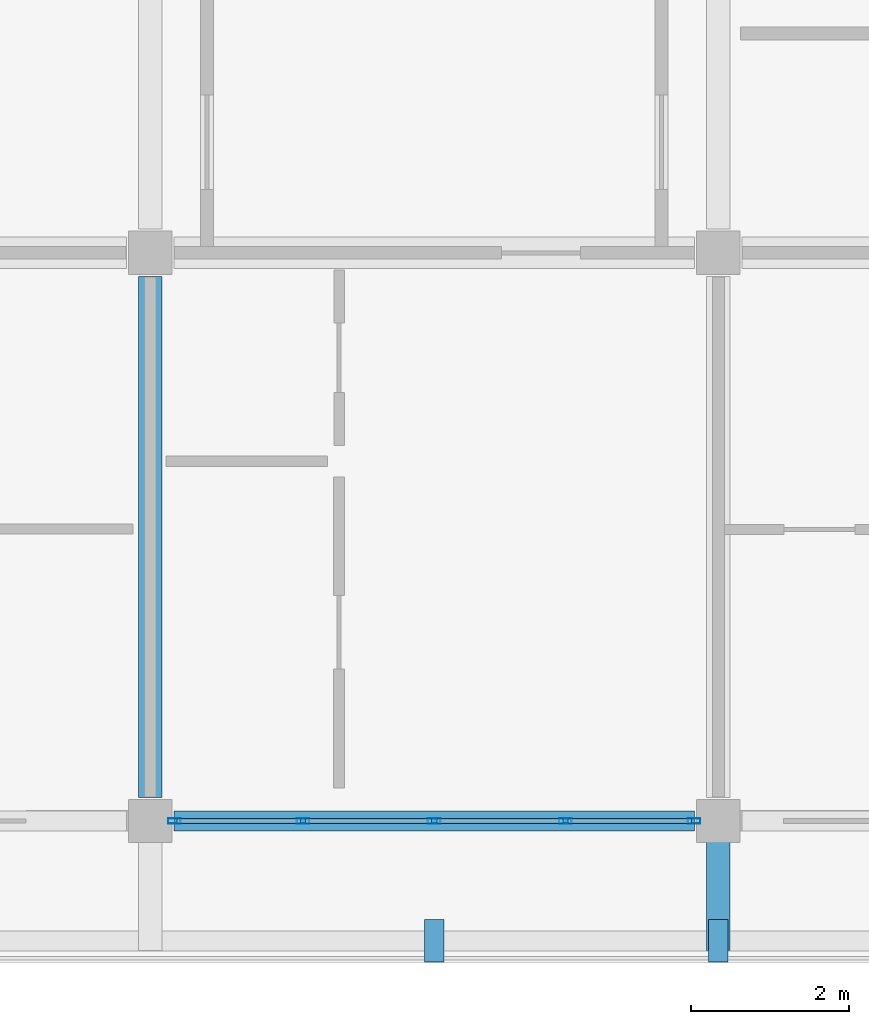
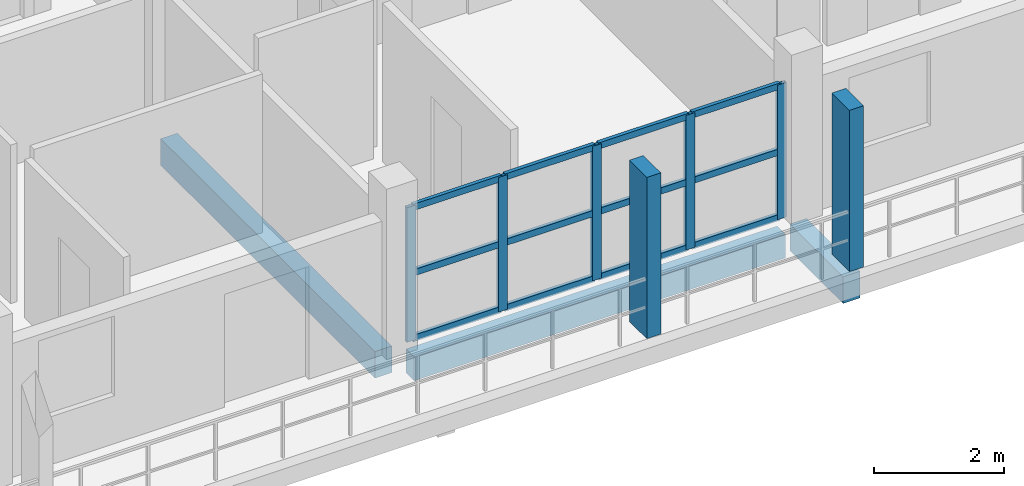
# One storey, part 19 of 73: 19 members, 3 beams, 1 element without a shape of its own.
"""IFC4 building model written with IfcOpenShell, lengths in metres."""

import ifcopenshell
import ifcopenshell.guid

model = None  # the IFC model being written
_history = None  # IfcOwnerHistory: only IFC2X3 demands one
_inside = {}  # id of a spatial element -> (the spatial element, [elements in it])
_under = {}  # id of a project, library or spatial element -> (it, [spatial elements below it])
_declared = {}  # id of a project -> (the project, [libraries it declares])
_typed = {}  # id of a type object -> (the type object, [elements of that type])
_made_of = {}  # id of a material, layer set ... -> (it, [elements and type objects made of it])


def new_model(schema):
    """Start an empty IFC model of exactly this schema.

    Asked for "IFC4X3", IfcOpenShell would pick the latest addendum, in which some entities
    have other attributes; the version numbers below select the first issue.
    IFC2X3 requires an IfcOwnerHistory on every rooted entity: one is made here for all.
    """
    global model, _history
    if schema == "IFC4X3":
        model = ifcopenshell.file(schema_version=(4, 3, 0, 0))
    else:
        model = ifcopenshell.file(schema=schema)
    _inside.clear()
    _under.clear()
    _declared.clear()
    _typed.clear()
    _made_of.clear()
    _history = None
    if model.schema == "IFC2X3":
        org = make("IfcOrganization", Name="unknown")
        user = make(
            "IfcPersonAndOrganization",
            ThePerson=make("IfcPerson", FamilyName="unknown"),
            TheOrganization=org,
        )
        app = make(
            "IfcApplication",
            ApplicationDeveloper=org,
            Version="unknown",
            ApplicationFullName="unknown",
            ApplicationIdentifier="unknown",
        )
        _history = make(
            "IfcOwnerHistory",
            OwningUser=user,
            OwningApplication=app,
            ChangeAction="ADDED",
            CreationDate=0,
        )
    return model


def make(cls, **values):
    """One entity of the class cls with the attributes given. An attribute that is None is left unset."""
    return model.create_entity(
        cls, **{name: value for name, value in values.items() if value is not None}
    )


def rooted(cls, **values):
    """An entity with a GlobalId (a new one), such as an element, a storey or a relation."""
    return make(cls, GlobalId=ifcopenshell.guid.new(), OwnerHistory=_history, **values)


def si_unit(unit_type, name, prefix=None):
    """IfcSIUnit, for example si_unit("LENGTHUNIT", "METRE", prefix="MILLI")."""
    return make("IfcSIUnit", UnitType=unit_type, Prefix=prefix, Name=name)


def assignment(units):
    """IfcUnitAssignment: the units of a project."""
    return None if units is None else make("IfcUnitAssignment", Units=units)


def point(xyz):
    """IfcCartesianPoint."""
    return None if xyz is None else make("IfcCartesianPoint", Coordinates=xyz)


def direction(xyz):
    """IfcDirection."""
    return None if xyz is None else make("IfcDirection", DirectionRatios=xyz)


def frame(location, z_axis=None, x_axis=None):
    """IfcAxis2Placement3D, a coordinate frame: its origin and axes. An axis left out is left unset."""
    return make(
        "IfcAxis2Placement3D",
        Location=point(location),
        Axis=direction(z_axis),
        RefDirection=direction(x_axis),
    )


def frame_2d(location, x_axis=None):
    """IfcAxis2Placement2D, a coordinate frame in the plane: its origin and x axis."""
    return make(
        "IfcAxis2Placement2D", Location=point(location), RefDirection=direction(x_axis)
    )


def origin():
    """The frame at (0, 0, 0) with its axes left unset."""
    return frame((0.0, 0.0, 0.0))


def origin_2d():
    """The frame at (0, 0) in the plane with its x axis left unset."""
    return frame_2d((0.0, 0.0))


def place(relative_to, where):
    """IfcLocalPlacement: puts the frame where relative to a parent placement (None: the world)."""
    return make(
        "IfcLocalPlacement", PlacementRelTo=relative_to, RelativePlacement=where
    )


def context(
    kind, dimensions, precision=None, world=None, true_north=None, identifier=None
):
    """IfcGeometricRepresentationContext, for example the 3D "Model" context."""
    return make(
        "IfcGeometricRepresentationContext",
        ContextIdentifier=identifier,
        ContextType=kind,
        CoordinateSpaceDimension=dimensions,
        Precision=precision,
        WorldCoordinateSystem=world,
        TrueNorth=true_north,
    )


def subcontext(parent, identifier, kind, view, scale=None):
    """IfcGeometricRepresentationSubContext, for example "Body" below "Model"."""
    return make(
        "IfcGeometricRepresentationSubContext",
        ContextIdentifier=identifier,
        ContextType=kind,
        ParentContext=parent,
        TargetScale=scale,
        TargetView=view,
    )


def project(units=None, contexts=None):
    """IfcProject with its units and contexts."""
    return rooted(
        "IfcProject",
        Name="project",
        RepresentationContexts=contexts,
        UnitsInContext=assignment(units),
    )


def spatial(cls, under=None, at=None, **own):
    """A site, building, storey or space (cls), placed at a placement, below another one or the project."""
    s = rooted(cls, ObjectPlacement=at, **own)
    if under is not None:
        _under.setdefault(under.id(), (under, []))[1].append(s)
    return s


def profile(cls, at=None, kind="AREA", **sizes):
    """A parametric profile (cls). Its sizes go by their IFC names, for example OverallWidth=200.0."""
    return make(cls, ProfileType=kind, Position=at, **sizes)


def rectangle(**sizes):
    """IfcRectangleProfileDef."""
    return profile("IfcRectangleProfileDef", **sizes)


def hollow_rectangle(**sizes):
    """IfcRectangleHollowProfileDef."""
    return profile("IfcRectangleHollowProfileDef", **sizes)


def extrude(swept, where, along, depth):
    """IfcExtrudedAreaSolid: the profile swept, set in the frame where, extruded along a direction by depth."""
    return make(
        "IfcExtrudedAreaSolid",
        SweptArea=swept,
        Position=where,
        ExtrudedDirection=direction(along),
        Depth=depth,
    )


def shape(context_of_items, identifier, shape_type, items):
    """IfcShapeRepresentation: the items that make up one representation, for example the "Body"."""
    return make(
        "IfcShapeRepresentation",
        ContextOfItems=context_of_items,
        RepresentationIdentifier=identifier,
        RepresentationType=shape_type,
        Items=items,
    )


def material(Name=None, Category=None):
    """IfcMaterial."""
    return make("IfcMaterial", Name=Name, Category=Category)


def material_profile(
    of_material, cross_section, Name=None, Category=None, Priority=None
):
    """IfcMaterialProfile: a cross section and its material."""
    return make(
        "IfcMaterialProfile",
        Name=Name,
        Material=of_material,
        Profile=cross_section,
        Priority=Priority,
        Category=Category,
    )


def profile_set(profiles, Name=None, composite=None):
    """IfcMaterialProfileSet."""
    return make(
        "IfcMaterialProfileSet",
        Name=Name,
        MaterialProfiles=profiles,
        CompositeProfile=composite,
    )


def made_of(thing, what):
    """Note that an element or type object is made of a material, layer set ...; save() writes the relation."""
    if what is not None:
        _made_of.setdefault(what.id(), (what, []))[1].append(thing)
    return thing


def type_object(cls, material=None, **own):
    """A type object (cls), such as IfcWallType, which elements share."""
    return made_of(rooted(cls, **own), material)


def element(
    cls,
    number,
    at=None,
    inside=None,
    cuts=None,
    type_object=None,
    material=None,
    context=None,
    identifier="Body",
    shape_type=None,
    held_by="IfcProductDefinitionShape",
    body=None,
    shapes=None,
    **own,
):
    """One element of the class cls, such as IfcWall. Its Tag is "e" and its number.

    at: its placement. inside: the storey or other place that contains it. cuts: it is an
    opening in that element (IfcRelVoidsElement). A single representation is given by context,
    identifier, shape_type and body (its items); several are given by shapes. held_by: the class
    of the entity that holds the representations. save() writes the other relations.
    """
    e = rooted(cls, Tag="e%d" % number, ObjectPlacement=at, **own)
    if body is not None:
        shapes = [shape(context, identifier, shape_type, body)]
    if shapes is not None:
        e.Representation = make(held_by, Representations=shapes)
    if inside is not None:
        _inside.setdefault(inside.id(), (inside, []))[1].append(e)
    if cuts is not None:
        rooted(
            "IfcRelVoidsElement", RelatingBuildingElement=cuts, RelatedOpeningElement=e
        )
    if type_object is not None:
        _typed.setdefault(type_object.id(), (type_object, []))[1].append(e)
    return made_of(e, material)


def aggregate(whole, parts):
    """IfcRelAggregates: a whole, such as a stair, and the parts it consists of."""
    return rooted("IfcRelAggregates", RelatingObject=whole, RelatedObjects=parts)


def save(model, path):
    """Write the relations noted so far, then the file.

    IfcRelAggregates (storeys below a building ...), IfcRelContainedInSpatialStructure (elements
    in a storey), IfcRelDefinesByType, IfcRelAssociatesMaterial and IfcRelDeclares: one each for
    every whole, place, type object, material and project.
    """
    for whole, parts in _under.values():
        aggregate(whole, parts)
    for where, things in _inside.values():
        rooted(
            "IfcRelContainedInSpatialStructure",
            RelatedElements=things,
            RelatingStructure=where,
        )
    for kind, things in _typed.values():
        rooted("IfcRelDefinesByType", RelatedObjects=things, RelatingType=kind)
    for what, things in _made_of.values():
        rooted("IfcRelAssociatesMaterial", RelatedObjects=things, RelatingMaterial=what)
    for by, libraries in _declared.values():
        rooted("IfcRelDeclares", RelatingContext=by, RelatedDefinitions=libraries)
    model.write(path)


model = new_model("IFC4")

# Units and contexts
model_context = context("Model", 3, precision=1e-05, world=origin(), true_north=direction((0.0, 1.0)))
body_context = subcontext(model_context, "Body", "Model", "MODEL_VIEW")
ifc_project = project(units=[si_unit("LENGTHUNIT", "METRE"), si_unit("AREAUNIT", "SQUARE_METRE"), si_unit("VOLUMEUNIT", "CUBIC_METRE"), si_unit("PLANEANGLEUNIT", "RADIAN"), si_unit("MASSUNIT", "GRAM", prefix="KILO")], contexts=[model_context])

# Site, building, storey
site_placement = place(None, origin())
site = spatial("IfcSite", under=ifc_project, at=site_placement, CompositionType="ELEMENT")
building_placement = place(site_placement, origin())
building = spatial("IfcBuilding", under=site, at=building_placement, Name="Suanplinth Sawtooth Commons", CompositionType="ELEMENT")
storey_placement = place(building_placement, frame((0.0, 0.0, 21.89990234375)))
storey = spatial("IfcBuildingStorey", under=building, at=storey_placement, Name="L06", CompositionType="ELEMENT", Elevation=21.89990234375)

# Beams
ifc_material_1 = material(Name="Precast concrete C40/50", Category="concrete")
ifc_material_profile_1 = material_profile(ifc_material_1, rectangle(XDim=0.300048828125, YDim=0.5, at=origin_2d()), Name="PC-BM 300x500")
ifc_profile_set_1 = profile_set([ifc_material_profile_1], Name="Precast concrete C40/50")
beam_type_1 = type_object("IfcBeamType", Name="B-07", PredefinedType="BEAM", material=ifc_profile_set_1)
beam_1_placement = place(storey_placement, frame((144.0, 0.300048828125, -0.489990234375), z_axis=(0.0, 1.0, 0.0), x_axis=(-1.0, 0.0, 0.0)))
element("IfcBeam", 1, at=beam_1_placement, inside=storey, type_object=beam_type_1, Name="BMY-L06-C-20-0", PredefinedType="BEAM", context=body_context, shape_type="SweptSolid", body=[
    extrude(rectangle(XDim=0.300048828125, YDim=0.5, at=origin_2d()), origin(), (0.0, 0.0, 1.0), 6.599853515625),
])
beam_2_placement = place(storey_placement, frame((151.199951171875, 0.0, -0.429931640625), z_axis=(0.0, -1.0, 0.0), x_axis=(1.0, 0.0, 0.0)))
element("IfcBeam", 2, at=beam_2_placement, inside=storey, type_object=beam_type_1, Name="Balcony Outrigger L06-C-S-21", PredefinedType="BEAM", context=body_context, shape_type="SweptSolid", body=[
    extrude(rectangle(XDim=0.300048828125, YDim=0.5, at=origin_2d()), origin(), (0.0, 0.0, 1.0), 1.639892578125),
])
ifc_material_profile_2 = material_profile(ifc_material_1, rectangle(XDim=0.25, YDim=0.449951171875, at=origin_2d()), Name="PC-SP 250x450")
ifc_profile_set_2 = profile_set([ifc_material_profile_2], Name="Precast concrete C40/50")
beam_type_2 = type_object("IfcBeamType", Name="B-09", PredefinedType="SPANDREL", material=ifc_profile_set_2)
beam_3_placement = place(storey_placement, frame((144.300048828125, 0.0, -0.46484375), z_axis=(1.0, 0.0, 0.0), x_axis=(0.0, 1.0, 0.0)))
element("IfcBeam", 3, at=beam_3_placement, inside=storey, type_object=beam_type_2, Name="BMX-L06-C-20-0", PredefinedType="SPANDREL", context=body_context, shape_type="SweptSolid", body=[
    extrude(rectangle(XDim=0.25, YDim=0.449951171875, at=origin_2d()), origin(), (0.0, 0.0, 1.0), 6.599853515625),
])

# Members
ifc_material_2 = material(Name="Pigmented precast concrete C40/50", Category="concrete")
ifc_material_profile_3 = material_profile(ifc_material_2, rectangle(XDim=0.25, YDim=0.5400390625, at=origin_2d()), Name="PC-FIN 250x540")
ifc_profile_set_3 = profile_set([ifc_material_profile_3], Name="Pigmented precast concrete C40/50")
member_type_1 = type_object("IfcMemberType", Name="M-11", PredefinedType="USERDEFINED", material=ifc_profile_set_3)
for number, where, z_axis, x_axis, name in (
    (4, (147.60009765625, -1.52001953125, 0.0), (0.0, 0.0, 1.0), (1.0, 0.0, 0.0), "Upright Solar Blade L06-C-S-03"),
    (5, (151.199951171875, -1.52001953125, 0.0), (0.0, 0.0, 1.0), (1.0, 0.0, 0.0), "Upright Solar Blade L06-C-S-04"),
):
    element("IfcMember", number, at=place(storey_placement, frame(where, z_axis=z_axis, x_axis=x_axis)), inside=storey, type_object=member_type_1, Name=name, ObjectType="SHADING FIN", PredefinedType="USERDEFINED", context=body_context, shape_type="SweptSolid", body=[
        extrude(rectangle(XDim=0.25, YDim=0.5400390625, at=origin_2d()), origin(), (0.0, 0.0, 1.0), 3.030029296875),
    ])

# Curtain wall, members
ifc_material_3 = material(Name="Anodized aluminium and low-E glazing", Category="aluminium")
curtain_wall_type = type_object("IfcCurtainWallType", Name="CW-06", PredefinedType="USERDEFINED", material=ifc_material_3)
curtain_wall_placement = place(storey_placement, origin())
curtain_wall = element("IfcCurtainWall", 6, at=curtain_wall_placement, inside=storey, type_object=curtain_wall_type, Name="Curtain Wall CW-L06-C-LOUNGE-20", ObjectType="CURTAIN WALL", PredefinedType="USERDEFINED")
ifc_material_4 = material(Name="Anodized aluminium 6063-T6", Category="aluminium")
ifc_material_profile_4 = material_profile(ifc_material_4, hollow_rectangle(XDim=0.06494140625, YDim=0.159912109375, WallThickness=0.00390625, at=origin_2d()), Name="ALU-MUL 65x160")
ifc_profile_set_4 = profile_set([ifc_material_profile_4], Name="Anodized aluminium 6063-T6")
member_type_2 = type_object("IfcMemberType", Name="M-13", PredefinedType="MULLION", material=ifc_profile_set_4)
member_1_placement = place(storey_placement, frame((144.3076171875, 0.0, 0.0), z_axis=(0.0, 0.0, 1.0), x_axis=(0.0, 1.0, 0.0)))
member_1 = element("IfcMember", 7, at=member_1_placement, type_object=member_type_2, Name="CW-06 mullion 1", PredefinedType="MULLION", context=body_context, shape_type="SweptSolid", body=[
    extrude(hollow_rectangle(XDim=0.06494140625, YDim=0.159912109375, WallThickness=0.00390625, at=origin_2d()), origin(), (0.0, 0.0, 1.0), 2.530029296875),
])
member_2_placement = place(storey_placement, frame((145.9375, 0.0, 0.0), z_axis=(0.0, 0.0, 1.0), x_axis=(0.0, 1.0, 0.0)))
member_2 = element("IfcMember", 8, at=member_2_placement, type_object=member_type_2, Name="CW-06 mullion 2", PredefinedType="MULLION", context=body_context, shape_type="SweptSolid", body=[
    extrude(hollow_rectangle(XDim=0.06494140625, YDim=0.159912109375, WallThickness=0.00390625, at=origin_2d()), origin(), (0.0, 0.0, 1.0), 2.530029296875),
])
member_3_placement = place(storey_placement, frame((147.60009765625, 0.0, 0.0), z_axis=(0.0, 0.0, 1.0), x_axis=(0.0, 1.0, 0.0)))
member_3 = element("IfcMember", 9, at=member_3_placement, type_object=member_type_2, Name="CW-06 mullion 3", PredefinedType="MULLION", context=body_context, shape_type="SweptSolid", body=[
    extrude(hollow_rectangle(XDim=0.06494140625, YDim=0.159912109375, WallThickness=0.00390625, at=origin_2d()), origin(), (0.0, 0.0, 1.0), 2.530029296875),
])
member_4_placement = place(storey_placement, frame((149.262451171875, 0.0, 0.0), z_axis=(0.0, 0.0, 1.0), x_axis=(0.0, 1.0, 0.0)))
member_4 = element("IfcMember", 10, at=member_4_placement, type_object=member_type_2, Name="CW-06 mullion 4", PredefinedType="MULLION", context=body_context, shape_type="SweptSolid", body=[
    extrude(hollow_rectangle(XDim=0.06494140625, YDim=0.159912109375, WallThickness=0.00390625, at=origin_2d()), origin(), (0.0, 0.0, 1.0), 2.530029296875),
])
member_5_placement = place(storey_placement, frame((150.892578125, 0.0, 0.0), z_axis=(0.0, 0.0, 1.0), x_axis=(0.0, 1.0, 0.0)))
member_5 = element("IfcMember", 11, at=member_5_placement, type_object=member_type_2, Name="CW-06 mullion 5", PredefinedType="MULLION", context=body_context, shape_type="SweptSolid", body=[
    extrude(hollow_rectangle(XDim=0.06494140625, YDim=0.159912109375, WallThickness=0.00390625, at=origin_2d()), origin(), (0.0, 0.0, 1.0), 2.530029296875),
])
ifc_material_profile_5 = material_profile(ifc_material_4, hollow_rectangle(XDim=0.06494140625, YDim=0.1201171875, WallThickness=0.00390625, at=origin_2d()), Name="ALU-TRN 65x120")
ifc_profile_set_5 = profile_set([ifc_material_profile_5], Name="Anodized aluminium 6063-T6")
member_type_3 = type_object("IfcMemberType", Name="M-15", PredefinedType="USERDEFINED", material=ifc_profile_set_5)
member_6_placement = place(storey_placement, frame((144.340087890625, 0.0, 0.03271484375), z_axis=(1.0, 0.0, 0.0), x_axis=(0.0, 1.0, 0.0)))
member_6 = element("IfcMember", 12, at=member_6_placement, type_object=member_type_3, Name="CW-06 transom 1.1", ObjectType="TRANSOM", PredefinedType="USERDEFINED", context=body_context, shape_type="SweptSolid", body=[
    extrude(hollow_rectangle(XDim=0.06494140625, YDim=0.1201171875, WallThickness=0.00390625, at=origin_2d()), origin(), (0.0, 0.0, 1.0), 1.56494140625),
])
member_7_placement = place(storey_placement, frame((144.340087890625, 0.0, 1.26513671875), z_axis=(1.0, 0.0, 0.0), x_axis=(0.0, 1.0, 0.0)))
member_7 = element("IfcMember", 13, at=member_7_placement, type_object=member_type_3, Name="CW-06 transom 1.2", ObjectType="TRANSOM", PredefinedType="USERDEFINED", context=body_context, shape_type="SweptSolid", body=[
    extrude(hollow_rectangle(XDim=0.06494140625, YDim=0.1201171875, WallThickness=0.00390625, at=origin_2d()), origin(), (0.0, 0.0, 1.0), 1.56494140625),
])
member_8_placement = place(storey_placement, frame((144.340087890625, 0.0, 2.49755859375), z_axis=(1.0, 0.0, 0.0), x_axis=(0.0, 1.0, 0.0)))
member_8 = element("IfcMember", 14, at=member_8_placement, type_object=member_type_3, Name="CW-06 transom 1.3", ObjectType="TRANSOM", PredefinedType="USERDEFINED", context=body_context, shape_type="SweptSolid", body=[
    extrude(hollow_rectangle(XDim=0.06494140625, YDim=0.1201171875, WallThickness=0.00390625, at=origin_2d()), origin(), (0.0, 0.0, 1.0), 1.56494140625),
])
member_9_placement = place(storey_placement, frame((145.969970703125, 0.0, 0.03271484375), z_axis=(1.0, 0.0, 0.0), x_axis=(0.0, 1.0, 0.0)))
member_9 = element("IfcMember", 15, at=member_9_placement, type_object=member_type_3, Name="CW-06 transom 2.1", ObjectType="TRANSOM", PredefinedType="USERDEFINED", context=body_context, shape_type="SweptSolid", body=[
    extrude(hollow_rectangle(XDim=0.06494140625, YDim=0.1201171875, WallThickness=0.00390625, at=origin_2d()), origin(), (0.0, 0.0, 1.0), 1.597412109375),
])
member_10_placement = place(storey_placement, frame((145.969970703125, 0.0, 1.26513671875), z_axis=(1.0, 0.0, 0.0), x_axis=(0.0, 1.0, 0.0)))
member_10 = element("IfcMember", 16, at=member_10_placement, type_object=member_type_3, Name="CW-06 transom 2.2", ObjectType="TRANSOM", PredefinedType="USERDEFINED", context=body_context, shape_type="SweptSolid", body=[
    extrude(hollow_rectangle(XDim=0.06494140625, YDim=0.1201171875, WallThickness=0.00390625, at=origin_2d()), origin(), (0.0, 0.0, 1.0), 1.597412109375),
])
member_11_placement = place(storey_placement, frame((145.969970703125, 0.0, 2.49755859375), z_axis=(1.0, 0.0, 0.0), x_axis=(0.0, 1.0, 0.0)))
member_11 = element("IfcMember", 17, at=member_11_placement, type_object=member_type_3, Name="CW-06 transom 2.3", ObjectType="TRANSOM", PredefinedType="USERDEFINED", context=body_context, shape_type="SweptSolid", body=[
    extrude(hollow_rectangle(XDim=0.06494140625, YDim=0.1201171875, WallThickness=0.00390625, at=origin_2d()), origin(), (0.0, 0.0, 1.0), 1.597412109375),
])
member_12_placement = place(storey_placement, frame((147.632568359375, 0.0, 0.03271484375), z_axis=(1.0, 0.0, 0.0), x_axis=(0.0, 1.0, 0.0)))
member_12 = element("IfcMember", 18, at=member_12_placement, type_object=member_type_3, Name="CW-06 transom 3.1", ObjectType="TRANSOM", PredefinedType="USERDEFINED", context=body_context, shape_type="SweptSolid", body=[
    extrude(hollow_rectangle(XDim=0.06494140625, YDim=0.1201171875, WallThickness=0.00390625, at=origin_2d()), origin(), (0.0, 0.0, 1.0), 1.597412109375),
])
member_13_placement = place(storey_placement, frame((147.632568359375, 0.0, 1.26513671875), z_axis=(1.0, 0.0, 0.0), x_axis=(0.0, 1.0, 0.0)))
member_13 = element("IfcMember", 19, at=member_13_placement, type_object=member_type_3, Name="CW-06 transom 3.2", ObjectType="TRANSOM", PredefinedType="USERDEFINED", context=body_context, shape_type="SweptSolid", body=[
    extrude(hollow_rectangle(XDim=0.06494140625, YDim=0.1201171875, WallThickness=0.00390625, at=origin_2d()), origin(), (0.0, 0.0, 1.0), 1.597412109375),
])
member_14_placement = place(storey_placement, frame((147.632568359375, 0.0, 2.49755859375), z_axis=(1.0, 0.0, 0.0), x_axis=(0.0, 1.0, 0.0)))
member_14 = element("IfcMember", 20, at=member_14_placement, type_object=member_type_3, Name="CW-06 transom 3.3", ObjectType="TRANSOM", PredefinedType="USERDEFINED", context=body_context, shape_type="SweptSolid", body=[
    extrude(hollow_rectangle(XDim=0.06494140625, YDim=0.1201171875, WallThickness=0.00390625, at=origin_2d()), origin(), (0.0, 0.0, 1.0), 1.597412109375),
])
member_15_placement = place(storey_placement, frame((149.294921875, 0.0, 0.03271484375), z_axis=(1.0, 0.0, 0.0), x_axis=(0.0, 1.0, 0.0)))
member_15 = element("IfcMember", 21, at=member_15_placement, type_object=member_type_3, Name="CW-06 transom 4.1", ObjectType="TRANSOM", PredefinedType="USERDEFINED", context=body_context, shape_type="SweptSolid", body=[
    extrude(hollow_rectangle(XDim=0.06494140625, YDim=0.1201171875, WallThickness=0.00390625, at=origin_2d()), origin(), (0.0, 0.0, 1.0), 1.565185546875),
])
member_16_placement = place(storey_placement, frame((149.294921875, 0.0, 1.26513671875), z_axis=(1.0, 0.0, 0.0), x_axis=(0.0, 1.0, 0.0)))
member_16 = element("IfcMember", 22, at=member_16_placement, type_object=member_type_3, Name="CW-06 transom 4.2", ObjectType="TRANSOM", PredefinedType="USERDEFINED", context=body_context, shape_type="SweptSolid", body=[
    extrude(hollow_rectangle(XDim=0.06494140625, YDim=0.1201171875, WallThickness=0.00390625, at=origin_2d()), origin(), (0.0, 0.0, 1.0), 1.565185546875),
])
member_17_placement = place(storey_placement, frame((149.294921875, 0.0, 2.49755859375), z_axis=(1.0, 0.0, 0.0), x_axis=(0.0, 1.0, 0.0)))
member_17 = element("IfcMember", 23, at=member_17_placement, type_object=member_type_3, Name="CW-06 transom 4.3", ObjectType="TRANSOM", PredefinedType="USERDEFINED", context=body_context, shape_type="SweptSolid", body=[
    extrude(hollow_rectangle(XDim=0.06494140625, YDim=0.1201171875, WallThickness=0.00390625, at=origin_2d()), origin(), (0.0, 0.0, 1.0), 1.565185546875),
])
aggregate(curtain_wall, [member_1, member_2, member_3, member_4, member_5, member_6, member_7, member_8, member_9, member_10, member_11, member_12, member_13, member_14, member_15, member_16, member_17])

save(model, "model.ifc")
